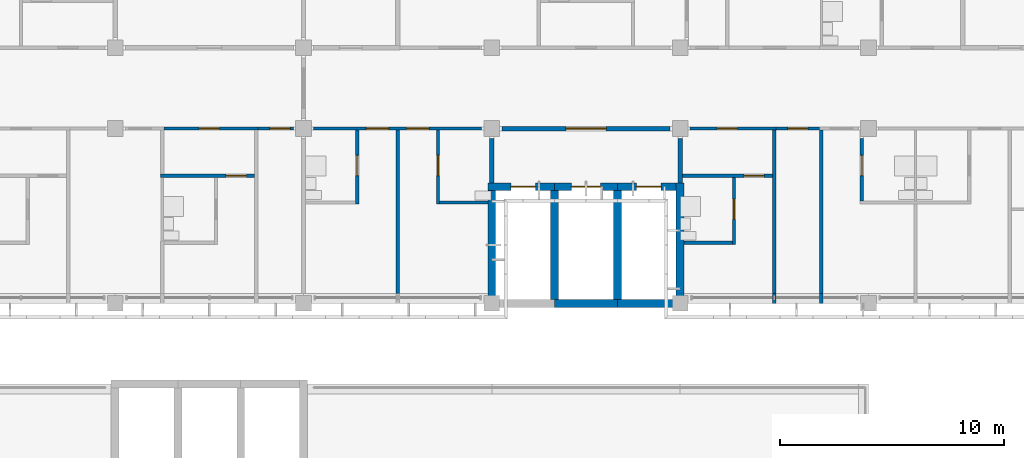
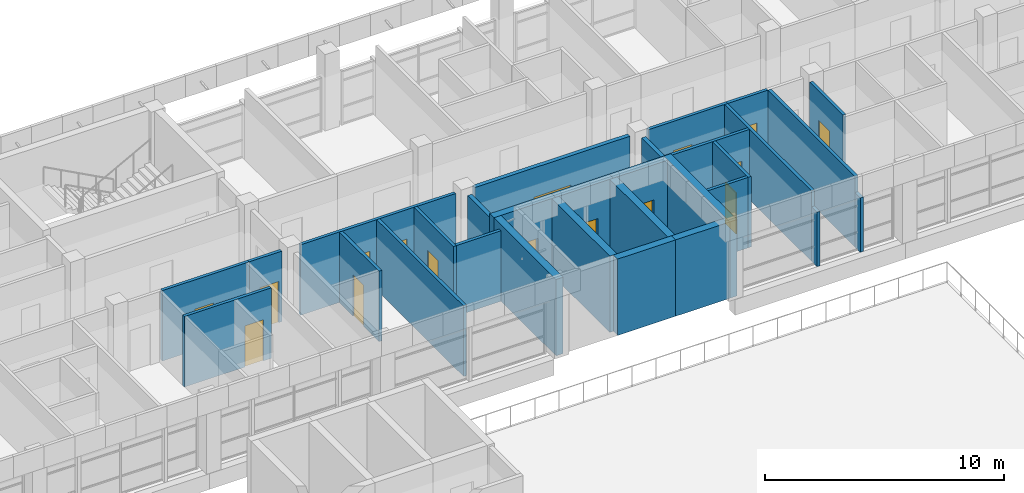
# One storey, part 24 of 46: 30 walls, 16 doors, 16 openings.
"""IFC4 building model written with IfcOpenShell, lengths in metres."""

from ifc_helpers import new_model, si_unit, direction, frame, frame_2d, origin, place, context, subcontext, project, spatial, rectangle, extrude, material, layer, layer_set, type_object, element, fill, save


model = new_model("IFC4")

# Units and contexts
model_context = context("Model", 3, precision=1e-05, world=origin(), true_north=direction((0.0, 1.0)))
body_context = subcontext(model_context, "Body", "Model", "MODEL_VIEW")
ifc_project = project(units=[si_unit("LENGTHUNIT", "METRE"), si_unit("AREAUNIT", "SQUARE_METRE"), si_unit("VOLUMEUNIT", "CUBIC_METRE"), si_unit("PLANEANGLEUNIT", "RADIAN"), si_unit("MASSUNIT", "GRAM", prefix="KILO")], contexts=[model_context])

# Site, building, storey
site_placement = place(None, origin())
site = spatial("IfcSite", under=ifc_project, at=site_placement, CompositionType="ELEMENT")
building_placement = place(site_placement, origin())
building = spatial("IfcBuilding", under=site, at=building_placement, Name="Bougainvillea Quay General Hospital", CompositionType="ELEMENT")
storey_placement = place(building_placement, frame((0.0, 0.0, 28.800048828125)))
storey = spatial("IfcBuildingStorey", under=building, at=storey_placement, Name="L06", CompositionType="ELEMENT", Elevation=28.800048828125)

# Walls
ifc_material_1 = material(Name="Gypsum board partition on steel studs, insulated", Category="steel")
ifc_layer_1 = layer(ifc_material_1, 0.14990234375)
ifc_layer_set_1 = layer_set([ifc_layer_1], Name="Gypsum board partition on steel studs, insulated")
wall_type_1 = type_object("IfcWallType", Name="Partition 150 Gypsum board partition", PredefinedType="PARTITIONING", material=ifc_layer_set_1)
wall_1_placement = place(storey_placement, frame((147.0, 140.85009765625, 0.0), z_axis=(0.0, 0.0, 1.0), x_axis=(0.0, 1.0, 0.0)))
element("IfcWall", 1, at=wall_1_placement, inside=storey, type_object=wall_type_1, Name="Partition 150 mm", PredefinedType="PARTITIONING", context=body_context, shape_type="SweptSolid", body=[
    extrude(rectangle(XDim=7.27490234375, YDim=0.14990234375, at=frame_2d((3.637451171875, 0.0))), origin(), (0.0, 0.0, 1.0), 3.599853515625),
])
wall_2_placement = place(storey_placement, frame((163.800048828125, 140.39990234375, 0.0), z_axis=(0.0, 0.0, 1.0), x_axis=(0.0, 1.0, 0.0)))
element("IfcWall", 2, at=wall_2_placement, inside=storey, type_object=wall_type_1, Name="Partition 150 mm", PredefinedType="PARTITIONING", context=body_context, shape_type="SweptSolid", body=[
    extrude(rectangle(XDim=0.4501953125, YDim=0.14990234375, at=frame_2d((0.22509765625, 0.0))), origin(), (0.0, 0.0, 1.0), 2.780029296875),
])
wall_3_placement = place(storey_placement, frame((163.800048828125, 140.85009765625, 0.0), z_axis=(0.0, 0.0, 1.0), x_axis=(0.0, 1.0, 0.0)))
element("IfcWall", 3, at=wall_3_placement, inside=storey, type_object=wall_type_1, Name="Partition 150 mm", PredefinedType="PARTITIONING", context=body_context, shape_type="SweptSolid", body=[
    extrude(rectangle(XDim=7.27490234375, YDim=0.14990234375, at=frame_2d((3.637451171875, 0.0))), origin(), (0.0, 0.0, 1.0), 3.599853515625),
])
wall_4_placement = place(storey_placement, frame((165.89990234375, 140.39990234375, 0.0), z_axis=(0.0, 0.0, 1.0), x_axis=(0.0, 1.0, 0.0)))
element("IfcWall", 4, at=wall_4_placement, inside=storey, type_object=wall_type_1, Name="Partition 150 mm", PredefinedType="PARTITIONING", context=body_context, shape_type="SweptSolid", body=[
    extrude(rectangle(XDim=0.4501953125, YDim=0.14990234375, at=frame_2d((0.22509765625, 0.0))), origin(), (0.0, 0.0, 1.0), 2.780029296875),
])
wall_5_placement = place(storey_placement, frame((165.89990234375, 140.85009765625, 0.0), z_axis=(0.0, 0.0, 1.0), x_axis=(0.0, 1.0, 0.0)))
element("IfcWall", 5, at=wall_5_placement, inside=storey, type_object=wall_type_1, Name="Partition 150 mm", PredefinedType="PARTITIONING", context=body_context, shape_type="SweptSolid", body=[
    extrude(rectangle(XDim=7.27490234375, YDim=0.14990234375, at=frame_2d((3.637451171875, 0.0))), origin(), (0.0, 0.0, 1.0), 3.599853515625),
])

# Wall, opening, door
wall_6_placement = place(storey_placement, frame((159.699951171875, 146.10009765625, 0.0), z_axis=(0.0, 0.0, 1.0), x_axis=(1.0, 0.0, 0.0)))
wall_6 = element("IfcWall", 6, at=wall_6_placement, inside=storey, type_object=wall_type_1, Name="Partition 150 mm", PredefinedType="PARTITIONING", context=body_context, shape_type="SweptSolid", body=[
    extrude(rectangle(XDim=4.025146484375, YDim=0.14990234375, at=frame_2d((2.0126953125, 0.0))), origin(), (0.0, 0.0, 1.0), 3.599853515625),
])
opening_1_placement = place(wall_6_placement, frame((2.75, 0.0, 0.0)))
opening_1 = element("IfcOpeningElement", 7, at=opening_1_placement, cuts=wall_6, Name="Opening L06.089", PredefinedType="OPENING", context=body_context, shape_type="SweptSolid", body=[
    extrude(rectangle(XDim=0.89990234375, YDim=2.10009765625, at=frame_2d((0.449951171875, 1.050048828125))), frame((0.0, 0.0849609375, 0.0), z_axis=(0.0, -1.0, 0.0), x_axis=(1.0, 0.0, 0.0)), (0.0, 0.0, 1.0), 0.169921875),
])
ifc_material_2 = material(Name="Solid-core timber door leaf in steel frame", Category="steel")
door_type_1 = type_object("IfcDoorType", Name="Single leaf door 900x2100 FD30S", OperationType="NOTDEFINED", PredefinedType="DOOR", material=ifc_material_2)
door_1_placement = place(opening_1_placement, frame((0.89990234375, 0.0, 0.0), z_axis=(0.0, 0.0, 1.0), x_axis=(-1.0, 0.0, 0.0)))
door_1 = element("IfcDoor", 8, at=door_1_placement, inside=storey, type_object=door_type_1, Name="DT16 L06.089", OperationType="SINGLE_SWING_LEFT", OverallHeight=2.10009765625, OverallWidth=0.89990234375, PredefinedType="DOOR", context=body_context, shape_type="SweptSolid", body=[
    extrude(rectangle(XDim=0.89990234375, YDim=2.10009765625, at=frame_2d((0.449951171875, 1.050048828125))), frame((0.0, 0.02490234375, 0.0), z_axis=(0.0, -1.0, 0.0), x_axis=(1.0, 0.0, 0.0)), (0.0, 0.0, 1.0), 0.050048828125),
])
fill(opening_1, door_1)

wall_7_placement = place(storey_placement, frame((136.425048828125, 146.10009765625, 0.0), z_axis=(0.0, 0.0, 1.0), x_axis=(1.0, 0.0, 0.0)))
wall_7 = element("IfcWall", 9, at=wall_7_placement, inside=storey, type_object=wall_type_1, Name="Partition 150 mm", PredefinedType="PARTITIONING", context=body_context, shape_type="SweptSolid", body=[
    extrude(rectangle(XDim=4.199951171875, YDim=0.14990234375, at=frame_2d((2.10009765625, 0.0))), origin(), (0.0, 0.0, 1.0), 3.599853515625),
])
opening_2_placement = place(wall_7_placement, frame((2.925048828125, 0.0, 0.0)))
opening_2 = element("IfcOpeningElement", 10, at=opening_2_placement, cuts=wall_7, Name="Opening L06.058", PredefinedType="OPENING", context=body_context, shape_type="SweptSolid", body=[
    extrude(rectangle(XDim=0.89990234375, YDim=2.10009765625, at=frame_2d((0.449951171875, 1.050048828125))), frame((0.0, 0.0849609375, 0.0), z_axis=(0.0, -1.0, 0.0), x_axis=(1.0, 0.0, 0.0)), (0.0, 0.0, 1.0), 0.169921875),
])
door_2_placement = place(opening_2_placement, frame((0.89990234375, 0.0, 0.0), z_axis=(0.0, 0.0, 1.0), x_axis=(-1.0, 0.0, 0.0)))
door_2 = element("IfcDoor", 11, at=door_2_placement, inside=storey, type_object=door_type_1, Name="DT16 L06.058", OperationType="SINGLE_SWING_LEFT", OverallHeight=2.10009765625, OverallWidth=0.89990234375, PredefinedType="DOOR", context=body_context, shape_type="SweptSolid", body=[
    extrude(rectangle(XDim=0.89990234375, YDim=2.10009765625, at=frame_2d((0.449951171875, 1.050048828125))), frame((0.0, 0.02490234375, 0.0), z_axis=(0.0, -1.0, 0.0), x_axis=(1.0, 0.0, 0.0)), (0.0, 0.0, 1.0), 0.050048828125),
])
fill(opening_2, door_2)

wall_8_placement = place(storey_placement, frame((145.199951171875, 144.824951171875, 0.0), z_axis=(0.0, 0.0, 1.0), x_axis=(0.0, 1.0, 0.0)))
wall_8 = element("IfcWall", 12, at=wall_8_placement, inside=storey, type_object=wall_type_1, Name="Partition 150 mm", PredefinedType="PARTITIONING", context=body_context, shape_type="SweptSolid", body=[
    extrude(rectangle(XDim=3.300048828125, YDim=0.14990234375, at=frame_2d((1.64990234375, 0.0))), origin(), (0.0, 0.0, 1.0), 3.599853515625),
])
opening_3_placement = place(wall_8_placement, frame((1.27490234375, 0.0, 0.0)))
opening_3 = element("IfcOpeningElement", 13, at=opening_3_placement, cuts=wall_8, Name="Opening L06.076", PredefinedType="OPENING", context=body_context, shape_type="SweptSolid", body=[
    extrude(rectangle(XDim=0.89990234375, YDim=2.10009765625, at=frame_2d((0.449951171875, 1.050048828125))), frame((0.0, 0.0849609375, 0.0), z_axis=(0.0, -1.0, 0.0), x_axis=(1.0, 0.0, 0.0)), (0.0, 0.0, 1.0), 0.169921875),
])
door_type_2 = type_object("IfcDoorType", Name="Single leaf door 900x2100", OperationType="NOTDEFINED", PredefinedType="DOOR", material=ifc_material_2)
door_3_placement = place(opening_3_placement, origin())
door_3 = element("IfcDoor", 14, at=door_3_placement, inside=storey, type_object=door_type_2, Name="DT07 L06.076", OperationType="SINGLE_SWING_RIGHT", OverallHeight=2.10009765625, OverallWidth=0.89990234375, PredefinedType="DOOR", context=body_context, shape_type="SweptSolid", body=[
    extrude(rectangle(XDim=0.89990234375, YDim=2.10009765625, at=frame_2d((0.449951171875, 1.050048828125))), frame((0.0, 0.02490234375, 0.0), z_axis=(0.0, -1.0, 0.0), x_axis=(1.0, 0.0, 0.0)), (0.0, 0.0, 1.0), 0.050048828125),
])
fill(opening_3, door_3)

wall_9_placement = place(storey_placement, frame((148.800048828125, 144.824951171875, 0.0), z_axis=(0.0, 0.0, 1.0), x_axis=(0.0, 1.0, 0.0)))
wall_9 = element("IfcWall", 15, at=wall_9_placement, inside=storey, type_object=wall_type_1, Name="Partition 150 mm", PredefinedType="PARTITIONING", context=body_context, shape_type="SweptSolid", body=[
    extrude(rectangle(XDim=3.300048828125, YDim=0.14990234375, at=frame_2d((1.64990234375, 0.0))), origin(), (0.0, 0.0, 1.0), 3.599853515625),
])
opening_4_placement = place(wall_9_placement, frame((1.27490234375, 0.0, 0.0)))
opening_4 = element("IfcOpeningElement", 16, at=opening_4_placement, cuts=wall_9, Name="Opening L06.078", PredefinedType="OPENING", context=body_context, shape_type="SweptSolid", body=[
    extrude(rectangle(XDim=0.89990234375, YDim=2.10009765625, at=frame_2d((0.449951171875, 1.050048828125))), frame((0.0, 0.0849609375, 0.0), z_axis=(0.0, -1.0, 0.0), x_axis=(1.0, 0.0, 0.0)), (0.0, 0.0, 1.0), 0.169921875),
])
door_4_placement = place(opening_4_placement, frame((0.89990234375, 0.0, 0.0), z_axis=(0.0, 0.0, 1.0), x_axis=(-1.0, 0.0, 0.0)))
door_4 = element("IfcDoor", 17, at=door_4_placement, inside=storey, type_object=door_type_2, Name="DT07 L06.078", OperationType="SINGLE_SWING_LEFT", OverallHeight=2.10009765625, OverallWidth=0.89990234375, PredefinedType="DOOR", context=body_context, shape_type="SweptSolid", body=[
    extrude(rectangle(XDim=0.89990234375, YDim=2.10009765625, at=frame_2d((0.449951171875, 1.050048828125))), frame((0.0, 0.02490234375, 0.0), z_axis=(0.0, -1.0, 0.0), x_axis=(1.0, 0.0, 0.0)), (0.0, 0.0, 1.0), 0.050048828125),
])
fill(opening_4, door_4)

wall_10_placement = place(storey_placement, frame((167.699951171875, 144.97509765625, 0.0), z_axis=(0.0, 0.0, 1.0), x_axis=(0.0, 1.0, 0.0)))
wall_10 = element("IfcWall", 18, at=wall_10_placement, inside=storey, type_object=wall_type_1, Name="Partition 150 mm", PredefinedType="PARTITIONING", context=body_context, shape_type="SweptSolid", body=[
    extrude(rectangle(XDim=2.77490234375, YDim=0.14990234375, at=frame_2d((1.387451171875, 0.0))), origin(), (0.0, 0.0, 1.0), 3.599853515625),
])
opening_5_placement = place(wall_10_placement, frame((1.125, 0.0, 0.0)))
opening_5 = element("IfcOpeningElement", 19, at=opening_5_placement, cuts=wall_10, Name="Opening L06.093", PredefinedType="OPENING", context=body_context, shape_type="SweptSolid", body=[
    extrude(rectangle(XDim=0.89990234375, YDim=2.10009765625, at=frame_2d((0.449951171875, 1.050048828125))), frame((0.0, 0.0849609375, 0.0), z_axis=(0.0, -1.0, 0.0), x_axis=(1.0, 0.0, 0.0)), (0.0, 0.0, 1.0), 0.169921875),
])
door_5_placement = place(opening_5_placement, frame((0.89990234375, 0.0, 0.0), z_axis=(0.0, 0.0, 1.0), x_axis=(-1.0, 0.0, 0.0)))
door_5 = element("IfcDoor", 20, at=door_5_placement, inside=storey, type_object=door_type_2, Name="DT07 L06.093", OperationType="SINGLE_SWING_LEFT", OverallHeight=2.10009765625, OverallWidth=0.89990234375, PredefinedType="DOOR", context=body_context, shape_type="SweptSolid", body=[
    extrude(rectangle(XDim=0.89990234375, YDim=2.10009765625, at=frame_2d((0.449951171875, 1.050048828125))), frame((0.0, 0.02490234375, 0.0), z_axis=(0.0, -1.0, 0.0), x_axis=(1.0, 0.0, 0.0)), (0.0, 0.0, 1.0), 0.050048828125),
])
fill(opening_5, door_5)

wall_11_placement = place(storey_placement, frame((162.0, 143.02490234375, 0.0), z_axis=(0.0, 0.0, 1.0), x_axis=(0.0, 1.0, 0.0)))
wall_11 = element("IfcWall", 21, at=wall_11_placement, inside=storey, type_object=wall_type_1, Name="Partition 150 mm", PredefinedType="PARTITIONING", context=body_context, shape_type="SweptSolid", body=[
    extrude(rectangle(XDim=3.0, YDim=0.14990234375, at=frame_2d((1.5, 0.0))), origin(), (0.0, 0.0, 1.0), 3.599853515625),
])
opening_6_placement = place(wall_11_placement, frame((1.125, 0.0, 0.0)))
opening_6 = element("IfcOpeningElement", 22, at=opening_6_placement, cuts=wall_11, Name="Opening L06.090", PredefinedType="OPENING", context=body_context, shape_type="SweptSolid", body=[
    extrude(rectangle(XDim=0.89990234375, YDim=2.10009765625, at=frame_2d((0.449951171875, 1.050048828125))), frame((0.0, 0.0849609375, 0.0), z_axis=(0.0, -1.0, 0.0), x_axis=(1.0, 0.0, 0.0)), (0.0, 0.0, 1.0), 0.169921875),
])
door_6_placement = place(opening_6_placement, origin())
door_6 = element("IfcDoor", 23, at=door_6_placement, inside=storey, type_object=door_type_2, Name="DT07 L06.090", OperationType="SINGLE_SWING_RIGHT", OverallHeight=2.10009765625, OverallWidth=0.89990234375, PredefinedType="DOOR", context=body_context, shape_type="SweptSolid", body=[
    extrude(rectangle(XDim=0.89990234375, YDim=2.10009765625, at=frame_2d((0.449951171875, 1.050048828125))), frame((0.0, 0.02490234375, 0.0), z_axis=(0.0, -1.0, 0.0), x_axis=(1.0, 0.0, 0.0)), (0.0, 0.0, 1.0), 0.050048828125),
])
fill(opening_6, door_6)

# Walls
wall_12_placement = place(storey_placement, frame((159.77490234375, 143.10009765625, 0.0), z_axis=(0.0, 0.0, 1.0), x_axis=(1.0, 0.0, 0.0)))
element("IfcWall", 24, at=wall_12_placement, inside=storey, type_object=wall_type_1, Name="Partition 150 mm", PredefinedType="PARTITIONING", context=body_context, shape_type="SweptSolid", body=[
    extrude(rectangle(XDim=2.150146484375, YDim=0.14990234375, at=frame_2d((1.0751953125, 0.0))), origin(), (0.0, 0.0, 1.0), 3.599853515625),
])
wall_13_placement = place(storey_placement, frame((148.875, 144.89990234375, 0.0), z_axis=(0.0, 0.0, 1.0), x_axis=(1.0, 0.0, 0.0)))
element("IfcWall", 25, at=wall_13_placement, inside=storey, type_object=wall_type_1, Name="Partition 150 mm", PredefinedType="PARTITIONING", context=body_context, shape_type="SweptSolid", body=[
    extrude(rectangle(XDim=2.14990234375, YDim=0.14990234375, at=frame_2d((1.074951171875, 0.0))), origin(), (0.0, 0.0, 1.0), 3.599853515625),
])

# Wall, openings, doors
ifc_layer_2 = layer(ifc_material_1, 0.14990234375)
ifc_layer_set_2 = layer_set([ifc_layer_2], Name="Gypsum board partition on steel studs, insulated")
wall_type_2 = type_object("IfcWallType", Name="Partition 150 Gypsum board partition EI 30", PredefinedType="PARTITIONING", material=ifc_layer_set_2)
wall_14_placement = place(storey_placement, frame((150.75, 148.199951171875, 0.0), z_axis=(0.0, 0.0, 1.0), x_axis=(-1.0, 0.0, 0.0)))
wall_14 = element("IfcWall", 26, at=wall_14_placement, inside=storey, type_object=wall_type_2, Name="Partition 150 mm EI 30", PredefinedType="PARTITIONING", context=body_context, shape_type="SweptSolid", body=[
    extrude(rectangle(XDim=7.5, YDim=0.14990234375, at=frame_2d((3.75, 0.0))), origin(), (0.0, 0.0, 1.0), 3.599853515625),
])
opening_7_placement = place(wall_14_placement, frame((4.14990234375, 0.0, 0.0)))
opening_7 = element("IfcOpeningElement", 27, at=opening_7_placement, cuts=wall_14, Name="Opening L06.075", PredefinedType="OPENING", context=body_context, shape_type="SweptSolid", body=[
    extrude(rectangle(XDim=1.0, YDim=2.10009765625, at=frame_2d((0.5, 1.050048828125))), frame((0.0, 0.0849609375, 0.0), z_axis=(0.0, -1.0, 0.0), x_axis=(1.0, 0.0, 0.0)), (0.0, 0.0, 1.0), 0.169921875),
])
opening_8_placement = place(wall_14_placement, frame((2.35009765625, 0.0, 0.0)))
opening_8 = element("IfcOpeningElement", 28, at=opening_8_placement, cuts=wall_14, Name="Opening L06.077", PredefinedType="OPENING", context=body_context, shape_type="SweptSolid", body=[
    extrude(rectangle(XDim=1.0, YDim=2.10009765625, at=frame_2d((0.5, 1.050048828125))), frame((0.0, 0.0849609375, 0.0), z_axis=(0.0, -1.0, 0.0), x_axis=(1.0, 0.0, 0.0)), (0.0, 0.0, 1.0), 0.169921875),
])
door_type_3 = type_object("IfcDoorType", Name="Single leaf door 1000x2100 FD30S", OperationType="NOTDEFINED", PredefinedType="DOOR", material=ifc_material_2)
door_7_placement = place(opening_7_placement, origin())
door_7 = element("IfcDoor", 29, at=door_7_placement, inside=storey, type_object=door_type_3, Name="DT15 L06.075", OperationType="SINGLE_SWING_RIGHT", OverallHeight=2.10009765625, OverallWidth=1.0, PredefinedType="DOOR", context=body_context, shape_type="SweptSolid", body=[
    extrude(rectangle(XDim=1.0, YDim=2.10009765625, at=frame_2d((0.5, 1.050048828125))), frame((0.0, 0.02490234375, 0.0), z_axis=(0.0, -1.0, 0.0), x_axis=(1.0, 0.0, 0.0)), (0.0, 0.0, 1.0), 0.050048828125),
])
fill(opening_7, door_7)
door_8_placement = place(opening_8_placement, origin())
door_8 = element("IfcDoor", 30, at=door_8_placement, inside=storey, type_object=door_type_3, Name="DT15 L06.077", OperationType="SINGLE_SWING_LEFT", OverallHeight=2.10009765625, OverallWidth=1.0, PredefinedType="DOOR", context=body_context, shape_type="SweptSolid", body=[
    extrude(rectangle(XDim=1.0, YDim=2.10009765625, at=frame_2d((0.5, 1.050048828125))), frame((0.0, 0.02490234375, 0.0), z_axis=(0.0, -1.0, 0.0), x_axis=(1.0, 0.0, 0.0)), (0.0, 0.0, 1.0), 0.050048828125),
])
fill(opening_8, door_8)

# Wall, opening, door
wall_15_placement = place(storey_placement, frame((160.050048828125, 148.199951171875, 0.0), z_axis=(0.0, 0.0, 1.0), x_axis=(1.0, 0.0, 0.0)))
wall_15 = element("IfcWall", 31, at=wall_15_placement, inside=storey, type_object=wall_type_2, Name="Partition 150 mm EI 30", PredefinedType="PARTITIONING", context=body_context, shape_type="SweptSolid", body=[
    extrude(rectangle(XDim=3.824951171875, YDim=0.14990234375, at=frame_2d((1.91259765625, 0.0))), origin(), (0.0, 0.0, 1.0), 3.599853515625),
])
opening_9_placement = place(wall_15_placement, frame((1.199951171875, 0.0, 0.0)))
opening_9 = element("IfcOpeningElement", 32, at=opening_9_placement, cuts=wall_15, Name="Opening L06.088", PredefinedType="OPENING", context=body_context, shape_type="SweptSolid", body=[
    extrude(rectangle(XDim=0.89990234375, YDim=2.10009765625, at=frame_2d((0.449951171875, 1.050048828125))), frame((0.0, 0.0849609375, 0.0), z_axis=(0.0, -1.0, 0.0), x_axis=(1.0, 0.0, 0.0)), (0.0, 0.0, 1.0), 0.169921875),
])
door_9_placement = place(opening_9_placement, frame((0.89990234375, 0.0, 0.0), z_axis=(0.0, 0.0, 1.0), x_axis=(-1.0, 0.0, 0.0)))
door_9 = element("IfcDoor", 33, at=door_9_placement, inside=storey, type_object=door_type_1, Name="DT16 L06.088", OperationType="SINGLE_SWING_RIGHT", OverallHeight=2.10009765625, OverallWidth=0.89990234375, PredefinedType="DOOR", context=body_context, shape_type="SweptSolid", body=[
    extrude(rectangle(XDim=0.89990234375, YDim=2.10009765625, at=frame_2d((0.449951171875, 1.050048828125))), frame((0.0, 0.02490234375, 0.0), z_axis=(0.0, -1.0, 0.0), x_axis=(1.0, 0.0, 0.0)), (0.0, 0.0, 1.0), 0.050048828125),
])
fill(opening_9, door_9)

wall_16_placement = place(storey_placement, frame((136.574951171875, 148.199951171875, 0.0), z_axis=(0.0, 0.0, 1.0), x_axis=(1.0, 0.0, 0.0)))
wall_16 = element("IfcWall", 34, at=wall_16_placement, inside=storey, type_object=wall_type_2, Name="Partition 150 mm EI 30", PredefinedType="PARTITIONING", context=body_context, shape_type="SweptSolid", body=[
    extrude(rectangle(XDim=4.199951171875, YDim=0.14990234375, at=frame_2d((2.10009765625, 0.0))), origin(), (0.0, 0.0, 1.0), 3.599853515625),
])
opening_10_placement = place(wall_16_placement, frame((1.574951171875, 0.0, 0.0)))
opening_10 = element("IfcOpeningElement", 35, at=opening_10_placement, cuts=wall_16, Name="Opening L06.057", PredefinedType="OPENING", context=body_context, shape_type="SweptSolid", body=[
    extrude(rectangle(XDim=0.89990234375, YDim=2.10009765625, at=frame_2d((0.449951171875, 1.050048828125))), frame((0.0, 0.0849609375, 0.0), z_axis=(0.0, -1.0, 0.0), x_axis=(1.0, 0.0, 0.0)), (0.0, 0.0, 1.0), 0.169921875),
])
door_10_placement = place(opening_10_placement, frame((0.89990234375, 0.0, 0.0), z_axis=(0.0, 0.0, 1.0), x_axis=(-1.0, 0.0, 0.0)))
door_10 = element("IfcDoor", 36, at=door_10_placement, inside=storey, type_object=door_type_1, Name="DT16 L06.057", OperationType="SINGLE_SWING_RIGHT", OverallHeight=2.10009765625, OverallWidth=0.89990234375, PredefinedType="DOOR", context=body_context, shape_type="SweptSolid", body=[
    extrude(rectangle(XDim=0.89990234375, YDim=2.10009765625, at=frame_2d((0.449951171875, 1.050048828125))), frame((0.0, 0.02490234375, 0.0), z_axis=(0.0, -1.0, 0.0), x_axis=(1.0, 0.0, 0.0)), (0.0, 0.0, 1.0), 0.050048828125),
])
fill(opening_10, door_10)

ifc_layer_3 = layer(ifc_material_1, 0.14990234375)
ifc_layer_set_3 = layer_set([ifc_layer_3], Name="Gypsum board partition on steel studs, insulated")
wall_type_3 = type_object("IfcWallType", Name="Partition 150 Gypsum board partition EI 60", PredefinedType="PARTITIONING", material=ifc_layer_set_3)
wall_17_placement = place(storey_placement, frame((140.77490234375, 148.199951171875, 0.0), z_axis=(0.0, 0.0, 1.0), x_axis=(1.0, 0.0, 0.0)))
wall_17 = element("IfcWall", 37, at=wall_17_placement, inside=storey, type_object=wall_type_3, Name="Partition 150 mm EI 60", PredefinedType="PARTITIONING", context=body_context, shape_type="SweptSolid", body=[
    extrude(rectangle(XDim=1.5751953125, YDim=0.14990234375, at=frame_2d((0.78759765625, 0.0))), origin(), (0.0, 0.0, 1.0), 3.599853515625),
])
opening_11_placement = place(wall_17_placement, frame((0.52490234375, 0.0, 0.0)))
opening_11 = element("IfcOpeningElement", 38, at=opening_11_placement, cuts=wall_17, Name="Opening L06.060", PredefinedType="OPENING", context=body_context, shape_type="SweptSolid", body=[
    extrude(rectangle(XDim=0.89990234375, YDim=2.10009765625, at=frame_2d((0.449951171875, 1.050048828125))), frame((0.0, 0.0849609375, 0.0), z_axis=(0.0, -1.0, 0.0), x_axis=(1.0, 0.0, 0.0)), (0.0, 0.0, 1.0), 0.169921875),
])
door_type_4 = type_object("IfcDoorType", Name="Single leaf door 900x2100 FD60", OperationType="NOTDEFINED", PredefinedType="DOOR", material=ifc_material_2)
door_11_placement = place(opening_11_placement, frame((0.89990234375, 0.0, 0.0), z_axis=(0.0, 0.0, 1.0), x_axis=(-1.0, 0.0, 0.0)))
door_11 = element("IfcDoor", 39, at=door_11_placement, inside=storey, type_object=door_type_4, Name="DT18 L06.060", OperationType="SINGLE_SWING_LEFT", OverallHeight=2.10009765625, OverallWidth=0.89990234375, PredefinedType="DOOR", context=body_context, shape_type="SweptSolid", body=[
    extrude(rectangle(XDim=0.89990234375, YDim=2.10009765625, at=frame_2d((0.449951171875, 1.050048828125))), frame((0.0, 0.02490234375, 0.0), z_axis=(0.0, -1.0, 0.0), x_axis=(1.0, 0.0, 0.0)), (0.0, 0.0, 1.0), 0.050048828125),
])
fill(opening_11, door_11)

wall_18_placement = place(storey_placement, frame((163.875, 148.199951171875, 0.0), z_axis=(0.0, 0.0, 1.0), x_axis=(1.0, 0.0, 0.0)))
wall_18 = element("IfcWall", 40, at=wall_18_placement, inside=storey, type_object=wall_type_3, Name="Partition 150 mm EI 60", PredefinedType="PARTITIONING", context=body_context, shape_type="SweptSolid", body=[
    extrude(rectangle(XDim=1.949951171875, YDim=0.14990234375, at=frame_2d((0.97509765625, 0.0))), origin(), (0.0, 0.0, 1.0), 3.599853515625),
])
opening_12_placement = place(wall_18_placement, frame((0.52490234375, 0.0, 0.0)))
opening_12 = element("IfcOpeningElement", 41, at=opening_12_placement, cuts=wall_18, Name="Opening L06.091", PredefinedType="OPENING", context=body_context, shape_type="SweptSolid", body=[
    extrude(rectangle(XDim=0.89990234375, YDim=2.10009765625, at=frame_2d((0.449951171875, 1.050048828125))), frame((0.0, 0.0849609375, 0.0), z_axis=(0.0, -1.0, 0.0), x_axis=(1.0, 0.0, 0.0)), (0.0, 0.0, 1.0), 0.169921875),
])
door_12_placement = place(opening_12_placement, frame((0.89990234375, 0.0, 0.0), z_axis=(0.0, 0.0, 1.0), x_axis=(-1.0, 0.0, 0.0)))
door_12 = element("IfcDoor", 42, at=door_12_placement, inside=storey, type_object=door_type_4, Name="DT18 L06.091", OperationType="SINGLE_SWING_LEFT", OverallHeight=2.10009765625, OverallWidth=0.89990234375, PredefinedType="DOOR", context=body_context, shape_type="SweptSolid", body=[
    extrude(rectangle(XDim=0.89990234375, YDim=2.10009765625, at=frame_2d((0.449951171875, 1.050048828125))), frame((0.0, 0.02490234375, 0.0), z_axis=(0.0, -1.0, 0.0), x_axis=(1.0, 0.0, 0.0)), (0.0, 0.0, 1.0), 0.050048828125),
])
fill(opening_12, door_12)

ifc_material_3 = material(Name="Fire-rated autoclaved aerated block wall, plastered")
ifc_layer_4 = layer(ifc_material_3, 0.199951171875)
ifc_layer_set_4 = layer_set([ifc_layer_4], Name="Fire-rated autoclaved aerated block wall, plastered")
wall_type_4 = type_object("IfcWallType", Name="Partition 200 Fire-rated autoclaved aerated block wall EI 120", PredefinedType="SOLIDWALL", material=ifc_layer_set_4)
wall_19_placement = place(storey_placement, frame((151.64990234375, 148.199951171875, 0.0), z_axis=(0.0, 0.0, 1.0), x_axis=(1.0, 0.0, 0.0)))
wall_19 = element("IfcWall", 43, at=wall_19_placement, inside=storey, type_object=wall_type_4, Name="Partition 200 mm EI 120", PredefinedType="SOLIDWALL", context=body_context, shape_type="SweptSolid", body=[
    extrude(rectangle(XDim=7.5, YDim=0.199951171875, at=frame_2d((3.75, 0.0))), origin(), (0.0, 0.0, 1.0), 3.599853515625),
])
opening_13_placement = place(wall_19_placement, frame((2.85009765625, 0.0, 0.0)))
opening_13 = element("IfcOpeningElement", 44, at=opening_13_placement, cuts=wall_19, Name="Opening L06.106", PredefinedType="OPENING", context=body_context, shape_type="SweptSolid", body=[
    extrude(rectangle(XDim=1.800048828125, YDim=2.10009765625, at=frame_2d((0.89990234375, 1.050048828125))), frame((0.0, 0.10986328125, 0.0), z_axis=(0.0, -1.0, 0.0), x_axis=(1.0, 0.0, 0.0)), (0.0, 0.0, 1.0), 0.219970703125),
])
ifc_material_4 = material(Name="Steel fire door leaves in steel frame", Category="steel")
door_type_5 = type_object("IfcDoorType", Name="Steel double leaf door 1800x2100 FD60", OperationType="DOUBLE_DOOR_SINGLE_SWING", PredefinedType="DOOR", material=ifc_material_4)
door_13_placement = place(opening_13_placement, frame((1.800048828125, 0.0, 0.0), z_axis=(0.0, 0.0, 1.0), x_axis=(-1.0, 0.0, 0.0)))
door_13 = element("IfcDoor", 45, at=door_13_placement, inside=storey, type_object=door_type_5, Name="DT05 L06.106", OperationType="DOUBLE_DOOR_SINGLE_SWING", OverallHeight=2.10009765625, OverallWidth=1.800048828125, PredefinedType="DOOR", context=body_context, shape_type="SweptSolid", body=[
    extrude(rectangle(XDim=1.800048828125, YDim=2.10009765625, at=frame_2d((0.89990234375, 1.050048828125))), frame((0.0, 0.02490234375, 0.0), z_axis=(0.0, -1.0, 0.0), x_axis=(1.0, 0.0, 0.0)), (0.0, 0.0, 1.0), 0.050048828125),
])
fill(opening_13, door_13)

# Walls
for number, where, z_axis, x_axis, name in (
    (46, (151.199951171875, 145.77490234375, 0.0), (0.0, 0.0, 1.0), (0.0, 1.0, 0.0), "Partition 200 mm EI 120"),
    (47, (159.60009765625, 145.77490234375, 0.0), (0.0, 0.0, 1.0), (0.0, 1.0, 0.0), "Partition 200 mm EI 120"),
):
    element("IfcWall", number, at=place(storey_placement, frame(where, z_axis=z_axis, x_axis=x_axis)), inside=storey, type_object=wall_type_4, Name=name, PredefinedType="SOLIDWALL", context=body_context, shape_type="SweptSolid", body=[
        extrude(rectangle(XDim=1.97509765625, YDim=0.199951171875, at=frame_2d((0.987548828125, 0.0))), origin(), (0.0, 0.0, 1.0), 3.599853515625),
    ])

# Wall, opening, door
ifc_material_5 = material(Name="Concrete C40", Category="concrete")
ifc_layer_5 = layer(ifc_material_5, 0.35009765625)
ifc_layer_set_5 = layer_set([ifc_layer_5], Name="Concrete C40")
wall_type_5 = type_object("IfcWallType", Name="RC SHEAR WALL 350 C40", PredefinedType="SHEAR", material=ifc_layer_set_5)
wall_20_placement = place(storey_placement, frame((151.02490234375, 145.60009765625, 0.0), z_axis=(0.0, 0.0, 1.0), x_axis=(1.0, 0.0, 0.0)))
wall_20 = element("IfcWall", 48, at=wall_20_placement, inside=storey, type_object=wall_type_5, Name="Shear wall L06", PredefinedType="SHEAR", context=body_context, shape_type="SweptSolid", body=[
    extrude(rectangle(XDim=2.97509765625, YDim=0.35009765625, at=frame_2d((1.487548828125, 0.0))), origin(), (0.0, 0.0, 1.0), 3.89990234375),
])
opening_14_placement = place(wall_20_placement, frame((1.02490234375, 0.0, 0.0)))
opening_14 = element("IfcOpeningElement", 49, at=opening_14_placement, cuts=wall_20, Name="Opening LD-A2.1-L06", PredefinedType="OPENING", context=body_context, shape_type="SweptSolid", body=[
    extrude(rectangle(XDim=1.10009765625, YDim=2.10009765625, at=frame_2d((0.550048828125, 1.050048828125))), frame((0.0, 0.18505859375, 0.0), z_axis=(0.0, -1.0, 0.0), x_axis=(1.0, 0.0, 0.0)), (0.0, 0.0, 1.0), 0.3701171875),
])
ifc_material_6 = material(Name="Stainless steel centre-opening landing door", Category="steel")
door_type_6 = type_object("IfcDoorType", Name="Lift landing door 1100x2100 E 120", OperationType="DOUBLE_DOOR_SLIDING", PredefinedType="DOOR", material=ifc_material_6)
door_14_placement = place(opening_14_placement, origin())
door_14 = element("IfcDoor", 50, at=door_14_placement, inside=storey, type_object=door_type_6, Name="Lift landing door LB-A2-1 L06", OperationType="DOUBLE_DOOR_SLIDING", OverallHeight=2.10009765625, OverallWidth=1.10009765625, PredefinedType="DOOR", context=body_context, shape_type="SweptSolid", body=[
    extrude(rectangle(XDim=1.10009765625, YDim=2.10009765625, at=frame_2d((0.550048828125, 1.050048828125))), frame((0.0, 0.02490234375, 0.0), z_axis=(0.0, -1.0, 0.0), x_axis=(1.0, 0.0, 0.0)), (0.0, 0.0, 1.0), 0.050048828125),
])
fill(opening_14, door_14)

# Walls
wall_21_placement = place(storey_placement, frame((151.199951171875, 140.22509765625, 0.0), z_axis=(0.0, 0.0, 1.0), x_axis=(0.0, 1.0, 0.0)))
element("IfcWall", 51, at=wall_21_placement, inside=storey, type_object=wall_type_5, Name="Shear wall L06", PredefinedType="SHEAR", context=body_context, shape_type="SweptSolid", body=[
    extrude(rectangle(XDim=5.199951171875, YDim=0.35009765625, at=frame_2d((2.60009765625, 0.0))), origin(), (0.0, 0.0, 1.0), 3.89990234375),
])
wall_22_placement = place(storey_placement, frame((154.0, 140.39990234375, 0.0), z_axis=(0.0, 0.0, 1.0), x_axis=(1.0, 0.0, 0.0)))
element("IfcWall", 52, at=wall_22_placement, inside=storey, type_object=wall_type_5, Name="Shear wall L06", PredefinedType="SHEAR", context=body_context, shape_type="SweptSolid", body=[
    extrude(rectangle(XDim=2.800048828125, YDim=0.35009765625, at=frame_2d((1.39990234375, 0.0))), origin(), (0.0, 0.0, 1.0), 3.89990234375),
])
wall_23_placement = place(storey_placement, frame((154.0, 140.574951171875, 0.0), z_axis=(0.0, 0.0, 1.0), x_axis=(0.0, 1.0, 0.0)))
element("IfcWall", 53, at=wall_23_placement, inside=storey, type_object=wall_type_5, Name="Shear wall L06", PredefinedType="SHEAR", context=body_context, shape_type="SweptSolid", body=[
    extrude(rectangle(XDim=4.85009765625, YDim=0.35009765625, at=frame_2d((2.425048828125, 0.0))), origin(), (0.0, 0.0, 1.0), 3.89990234375),
])

# Wall, opening, door
wall_24_placement = place(storey_placement, frame((154.0, 145.60009765625, 0.0), z_axis=(0.0, 0.0, 1.0), x_axis=(1.0, 0.0, 0.0)))
wall_24 = element("IfcWall", 54, at=wall_24_placement, inside=storey, type_object=wall_type_5, Name="Shear wall L06", PredefinedType="SHEAR", context=body_context, shape_type="SweptSolid", body=[
    extrude(rectangle(XDim=2.800048828125, YDim=0.35009765625, at=frame_2d((1.39990234375, 0.0))), origin(), (0.0, 0.0, 1.0), 3.89990234375),
])
opening_15_placement = place(wall_24_placement, frame((0.75, 0.0, 0.0)))
opening_15 = element("IfcOpeningElement", 55, at=opening_15_placement, cuts=wall_24, Name="Opening LD-A2.2-L06", PredefinedType="OPENING", context=body_context, shape_type="SweptSolid", body=[
    extrude(rectangle(XDim=1.300048828125, YDim=2.10009765625, at=frame_2d((0.64990234375, 1.050048828125))), frame((0.0, 0.18505859375, 0.0), z_axis=(0.0, -1.0, 0.0), x_axis=(1.0, 0.0, 0.0)), (0.0, 0.0, 1.0), 0.3701171875),
])
door_type_7 = type_object("IfcDoorType", Name="Lift landing door 1300x2100 E 120", OperationType="DOUBLE_DOOR_SLIDING", PredefinedType="DOOR", material=ifc_material_6)
door_15_placement = place(opening_15_placement, origin())
door_15 = element("IfcDoor", 56, at=door_15_placement, inside=storey, type_object=door_type_7, Name="Lift landing door LB-A2-2 L06", OperationType="DOUBLE_DOOR_SLIDING", OverallHeight=2.10009765625, OverallWidth=1.300048828125, PredefinedType="DOOR", context=body_context, shape_type="SweptSolid", body=[
    extrude(rectangle(XDim=1.300048828125, YDim=2.10009765625, at=frame_2d((0.64990234375, 1.050048828125))), frame((0.0, 0.02490234375, 0.0), z_axis=(0.0, -1.0, 0.0), x_axis=(1.0, 0.0, 0.0)), (0.0, 0.0, 1.0), 0.050048828125),
])
fill(opening_15, door_15)

# Walls
wall_25_placement = place(storey_placement, frame((156.800048828125, 140.39990234375, 0.0), z_axis=(0.0, 0.0, 1.0), x_axis=(1.0, 0.0, 0.0)))
element("IfcWall", 57, at=wall_25_placement, inside=storey, type_object=wall_type_5, Name="Shear wall L06", PredefinedType="SHEAR", context=body_context, shape_type="SweptSolid", body=[
    extrude(rectangle(XDim=2.625, YDim=0.35009765625, at=frame_2d((1.3125, 0.0))), origin(), (0.0, 0.0, 1.0), 3.89990234375),
])
wall_26_placement = place(storey_placement, frame((156.800048828125, 140.574951171875, 0.0), z_axis=(0.0, 0.0, 1.0), x_axis=(0.0, 1.0, 0.0)))
element("IfcWall", 58, at=wall_26_placement, inside=storey, type_object=wall_type_5, Name="Shear wall L06", PredefinedType="SHEAR", context=body_context, shape_type="SweptSolid", body=[
    extrude(rectangle(XDim=4.85009765625, YDim=0.35009765625, at=frame_2d((2.425048828125, 0.0))), origin(), (0.0, 0.0, 1.0), 3.89990234375),
])

# Wall, opening, door
wall_27_placement = place(storey_placement, frame((156.800048828125, 145.60009765625, 0.0), z_axis=(0.0, 0.0, 1.0), x_axis=(1.0, 0.0, 0.0)))
wall_27 = element("IfcWall", 59, at=wall_27_placement, inside=storey, type_object=wall_type_5, Name="Shear wall L06", PredefinedType="SHEAR", context=body_context, shape_type="SweptSolid", body=[
    extrude(rectangle(XDim=2.625, YDim=0.35009765625, at=frame_2d((1.3125, 0.0))), origin(), (0.0, 0.0, 1.0), 3.89990234375),
])
opening_16_placement = place(wall_27_placement, frame((0.85009765625, 0.0, 0.0)))
opening_16 = element("IfcOpeningElement", 60, at=opening_16_placement, cuts=wall_27, Name="Opening LD-A2.3-L06", PredefinedType="OPENING", context=body_context, shape_type="SweptSolid", body=[
    extrude(rectangle(XDim=1.10009765625, YDim=2.10009765625, at=frame_2d((0.550048828125, 1.050048828125))), frame((0.0, 0.18505859375, 0.0), z_axis=(0.0, -1.0, 0.0), x_axis=(1.0, 0.0, 0.0)), (0.0, 0.0, 1.0), 0.3701171875),
])
door_16_placement = place(opening_16_placement, origin())
door_16 = element("IfcDoor", 61, at=door_16_placement, inside=storey, type_object=door_type_6, Name="Lift landing door LB-A2-3 L06", OperationType="DOUBLE_DOOR_SLIDING", OverallHeight=2.10009765625, OverallWidth=1.10009765625, PredefinedType="DOOR", context=body_context, shape_type="SweptSolid", body=[
    extrude(rectangle(XDim=1.10009765625, YDim=2.10009765625, at=frame_2d((0.550048828125, 1.050048828125))), frame((0.0, 0.02490234375, 0.0), z_axis=(0.0, -1.0, 0.0), x_axis=(1.0, 0.0, 0.0)), (0.0, 0.0, 1.0), 0.050048828125),
])
fill(opening_16, door_16)

# Wall
wall_28_placement = place(storey_placement, frame((159.60009765625, 140.22509765625, 0.0), z_axis=(0.0, 0.0, 1.0), x_axis=(0.0, 1.0, 0.0)))
element("IfcWall", 62, at=wall_28_placement, inside=storey, type_object=wall_type_5, Name="Shear wall L06", PredefinedType="SHEAR", context=body_context, shape_type="SweptSolid", body=[
    extrude(rectangle(XDim=5.5498046875, YDim=0.35009765625, at=frame_2d((2.77490234375, 0.0))), origin(), (0.0, 0.0, 1.0), 3.89990234375),
])

save(model, "model.ifc")
